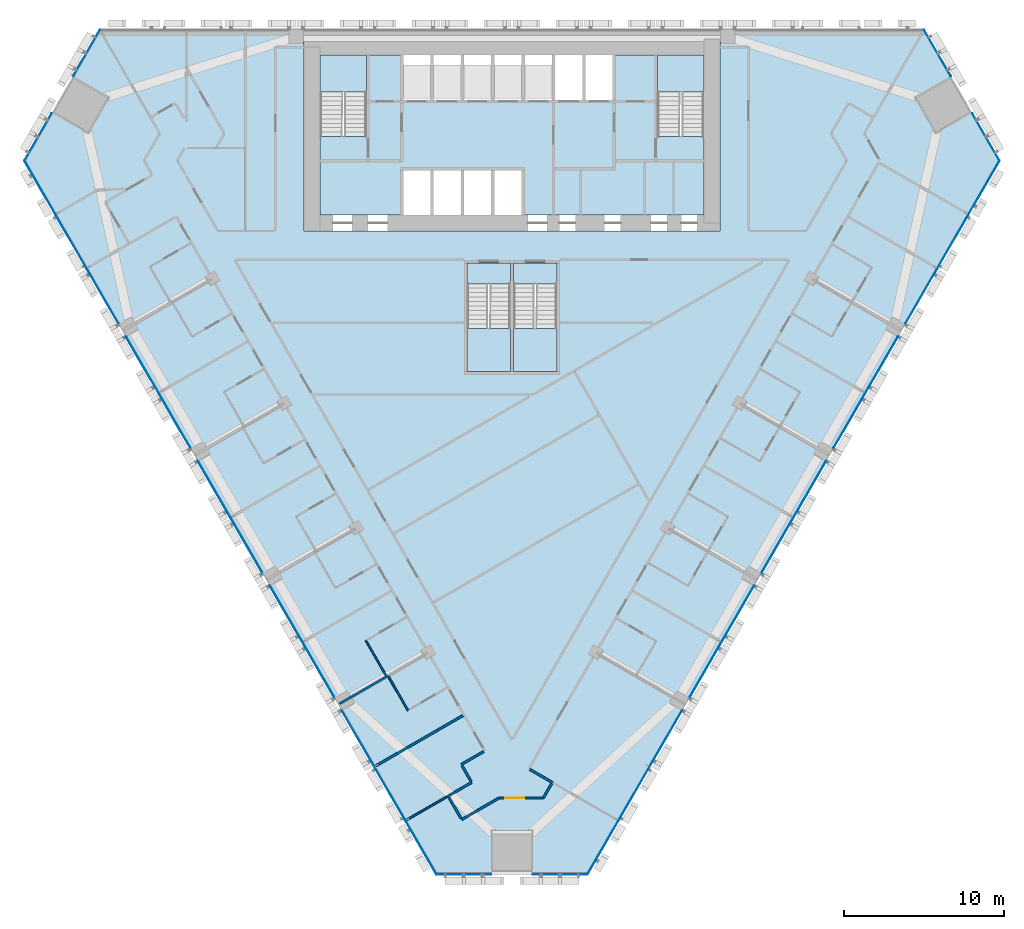
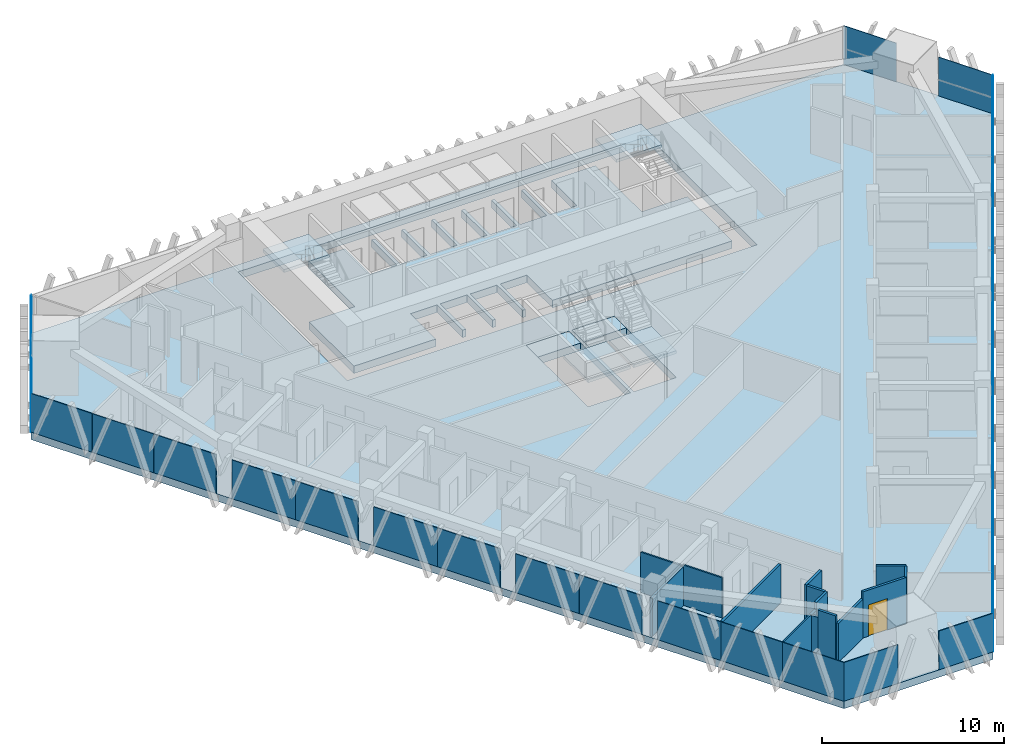
# One storey, part 8 of 17: 30 plates, 15 walls, 8 slabs, 1 door, 1 opening, 9 elements without a shape of their own.
"""IFC4 building model written with IfcOpenShell, lengths in metres."""

from ifc_helpers import new_model, si_unit, direction, frame, frame_2d, origin, origin_2d, place, context, subcontext, project, spatial, polyline, rectangle, outline, extrude, material, layer, layer_set, type_object, element, fill, aggregate, save


model = new_model("IFC4")

# Units and contexts
model_context = context("Model", 3, precision=1e-05, world=origin(), true_north=direction((0.0, 1.0)))
body_context = subcontext(model_context, "Body", "Model", "MODEL_VIEW")
ifc_project = project(units=[si_unit("LENGTHUNIT", "METRE"), si_unit("AREAUNIT", "SQUARE_METRE"), si_unit("VOLUMEUNIT", "CUBIC_METRE"), si_unit("PLANEANGLEUNIT", "RADIAN"), si_unit("MASSUNIT", "GRAM", prefix="KILO")], contexts=[model_context])

# Site, building, storey
site_placement = place(None, origin())
site = spatial("IfcSite", under=ifc_project, at=site_placement, CompositionType="ELEMENT")
building_placement = place(site_placement, origin())
building = spatial("IfcBuilding", under=site, at=building_placement, Name="Altiplano Prism Tower", CompositionType="ELEMENT")
storey_placement = place(building_placement, frame((0.0, 0.0, 52.199951171875)))
storey = spatial("IfcBuildingStorey", under=building, at=storey_placement, Name="L12", CompositionType="ELEMENT", Elevation=52.199951171875)

# Curtain wall, plates
ifc_material_1 = material(Name="Aluminium and glass", Category="aluminium")
ifc_layer_1 = layer(ifc_material_1, 0.280029296875)
ifc_layer_set_1 = layer_set([ifc_layer_1], Name="Aluminium and glass")
curtain_wall_type = type_object("IfcCurtainWallType", Name="CW1 typical co-living unitised curtain wall", PredefinedType="NOTDEFINED", material=ifc_layer_set_1)
curtain_wall_1_placement = place(storey_placement, origin())
curtain_wall_1 = element("IfcCurtainWall", 1, at=curtain_wall_1_placement, inside=storey, type_object=curtain_wall_type, Name="CW1 curtain wall north-west chamfer L12", PredefinedType="NOTDEFINED")
ifc_material_2 = material(Name="Clear glass", Category="glass")
ifc_layer_2 = layer(ifc_material_2, 0.0400390625)
ifc_layer_set_2 = layer_set([ifc_layer_2], Name="Clear glass")
plate_type = type_object("IfcPlateType", Name="CW1 insulated glass unit 40", PredefinedType="CURTAIN_PANEL", material=ifc_layer_set_2)
plate_1_placement = place(storey_placement, frame((58.3876953125, 103.5390625, 0.0), z_axis=(0.0, 0.0, 1.0), x_axis=(-0.500000055396, -0.866025371801, 0.0)))
plate_1 = element("IfcPlate", 2, at=plate_1_placement, type_object=plate_type, Name="CW1 panel", PredefinedType="CURTAIN_PANEL", context=body_context, shape_type="SweptSolid", body=[
    extrude(rectangle(XDim=3.340576171875, YDim=0.0400390625, at=origin_2d()), origin(), (0.0, 0.0, 1.0), 2.60009765625),
])
plate_2_placement = place(storey_placement, frame((55.352294921875, 98.281982421875, 0.0), z_axis=(0.0, 0.0, 1.0), x_axis=(-0.500000055396, -0.866025371801, 0.0)))
plate_2 = element("IfcPlate", 3, at=plate_2_placement, type_object=plate_type, Name="CW1 panel", PredefinedType="CURTAIN_PANEL", context=body_context, shape_type="SweptSolid", body=[
    extrude(rectangle(XDim=3.420654296875, YDim=0.0400390625, at=origin_2d()), origin(), (0.0, 0.0, 1.0), 2.60009765625),
])
aggregate(curtain_wall_1, [plate_1, plate_2])

curtain_wall_2_placement = place(storey_placement, origin())
curtain_wall_2 = element("IfcCurtainWall", 4, at=curtain_wall_2_placement, inside=storey, type_object=curtain_wall_type, Name="CW1 curtain wall south-west face L12", PredefinedType="NOTDEFINED")
plate_3_placement = place(storey_placement, frame((55.46875, 95.12939453125, 0.0), z_axis=(0.0, 0.0, 1.0), x_axis=(0.499999990704, -0.866025409151, 0.0)))
plate_3 = element("IfcPlate", 5, at=plate_3_placement, type_object=plate_type, Name="CW1 panel", PredefinedType="CURTAIN_PANEL", context=body_context, shape_type="SweptSolid", body=[
    extrude(rectangle(XDim=3.885986328125, YDim=0.0400390625, at=origin_2d()), origin(), (0.0, 0.0, 1.0), 2.60009765625),
])
plate_4_placement = place(storey_placement, frame((57.416748046875, 91.75537109375, 0.0), z_axis=(0.0, 0.0, 1.0), x_axis=(0.499999990704, -0.866025409151, 0.0)))
plate_4 = element("IfcPlate", 6, at=plate_4_placement, type_object=plate_type, Name="CW1 panel", PredefinedType="CURTAIN_PANEL", context=body_context, shape_type="SweptSolid", body=[
    extrude(rectangle(XDim=3.885986328125, YDim=0.0400390625, at=origin_2d()), origin(), (0.0, 0.0, 1.0), 2.60009765625),
])
plate_5_placement = place(storey_placement, frame((59.38330078125, 88.348876953125, 0.0), z_axis=(0.0, 0.0, 1.0), x_axis=(0.499999990704, -0.866025409151, 0.0)))
plate_5 = element("IfcPlate", 7, at=plate_5_placement, type_object=plate_type, Name="CW1 panel", PredefinedType="CURTAIN_PANEL", context=body_context, shape_type="SweptSolid", body=[
    extrude(rectangle(XDim=3.96044921875, YDim=0.0400390625, at=origin_2d()), origin(), (0.0, 0.0, 1.0), 2.60009765625),
])
plate_6_placement = place(storey_placement, frame((61.87841796875, 84.02734375, 0.0), z_axis=(0.0, 0.0, 1.0), x_axis=(0.499999990704, -0.866025409151, 0.0)))
plate_6 = element("IfcPlate", 8, at=plate_6_placement, type_object=plate_type, Name="CW1 panel", PredefinedType="CURTAIN_PANEL", context=body_context, shape_type="SweptSolid", body=[
    extrude(rectangle(XDim=4.039306640625, YDim=0.0400390625, at=origin_2d()), origin(), (0.0, 0.0, 1.0), 2.60009765625),
])
plate_7_placement = place(storey_placement, frame((63.88330078125, 80.5546875, 0.0), z_axis=(0.0, 0.0, 1.0), x_axis=(0.499999990704, -0.866025409151, 0.0)))
plate_7 = element("IfcPlate", 9, at=plate_7_placement, type_object=plate_type, Name="CW1 panel", PredefinedType="CURTAIN_PANEL", context=body_context, shape_type="SweptSolid", body=[
    extrude(rectangle(XDim=3.96044921875, YDim=0.0400390625, at=origin_2d()), origin(), (0.0, 0.0, 1.0), 2.60009765625),
])
plate_8_placement = place(storey_placement, frame((66.37841796875, 76.233154296875, 0.0), z_axis=(0.0, 0.0, 1.0), x_axis=(0.499999990704, -0.866025409151, 0.0)))
plate_8 = element("IfcPlate", 10, at=plate_8_placement, type_object=plate_type, Name="CW1 panel", PredefinedType="CURTAIN_PANEL", context=body_context, shape_type="SweptSolid", body=[
    extrude(rectangle(XDim=4.039306640625, YDim=0.0400390625, at=origin_2d()), origin(), (0.0, 0.0, 1.0), 2.60009765625),
])
plate_9_placement = place(storey_placement, frame((68.38330078125, 72.760498046875, 0.0), z_axis=(0.0, 0.0, 1.0), x_axis=(0.499999990704, -0.866025409151, 0.0)))
plate_9 = element("IfcPlate", 11, at=plate_9_placement, type_object=plate_type, Name="CW1 panel", PredefinedType="CURTAIN_PANEL", context=body_context, shape_type="SweptSolid", body=[
    extrude(rectangle(XDim=3.96044921875, YDim=0.0400390625, at=origin_2d()), origin(), (0.0, 0.0, 1.0), 2.60009765625),
])
plate_10_placement = place(storey_placement, frame((70.87841796875, 68.43896484375, 0.0), z_axis=(0.0, 0.0, 1.0), x_axis=(0.499999990704, -0.866025409151, 0.0)))
plate_10 = element("IfcPlate", 12, at=plate_10_placement, type_object=plate_type, Name="CW1 panel", PredefinedType="CURTAIN_PANEL", context=body_context, shape_type="SweptSolid", body=[
    extrude(rectangle(XDim=4.039306640625, YDim=0.0400390625, at=origin_2d()), origin(), (0.0, 0.0, 1.0), 2.60009765625),
])
plate_11_placement = place(storey_placement, frame((72.88330078125, 64.96630859375, 0.0), z_axis=(0.0, 0.0, 1.0), x_axis=(0.499999990704, -0.866025409151, 0.0)))
plate_11 = element("IfcPlate", 13, at=plate_11_placement, type_object=plate_type, Name="CW1 panel", PredefinedType="CURTAIN_PANEL", context=body_context, shape_type="SweptSolid", body=[
    extrude(rectangle(XDim=3.96044921875, YDim=0.0400390625, at=origin_2d()), origin(), (0.0, 0.0, 1.0), 2.60009765625),
])
plate_12_placement = place(storey_placement, frame((75.37841796875, 60.644775390625, 0.0), z_axis=(0.0, 0.0, 1.0), x_axis=(0.499999990704, -0.866025409151, 0.0)))
plate_12 = element("IfcPlate", 14, at=plate_12_placement, type_object=plate_type, Name="CW1 panel", PredefinedType="CURTAIN_PANEL", context=body_context, shape_type="SweptSolid", body=[
    extrude(rectangle(XDim=4.039306640625, YDim=0.0400390625, at=origin_2d()), origin(), (0.0, 0.0, 1.0), 2.60009765625),
])
plate_13_placement = place(storey_placement, frame((77.36474609375, 57.204345703125, 0.0), z_axis=(0.0, 0.0, 1.0), x_axis=(0.499999990704, -0.866025409151, 0.0)))
plate_13 = element("IfcPlate", 15, at=plate_13_placement, type_object=plate_type, Name="CW1 panel", PredefinedType="CURTAIN_PANEL", context=body_context, shape_type="SweptSolid", body=[
    extrude(rectangle(XDim=3.885986328125, YDim=0.0400390625, at=origin_2d()), origin(), (0.0, 0.0, 1.0), 2.60009765625),
])
plate_14_placement = place(storey_placement, frame((79.312744140625, 53.830322265625, 0.0), z_axis=(0.0, 0.0, 1.0), x_axis=(0.499999990704, -0.866025409151, 0.0)))
plate_14 = element("IfcPlate", 16, at=plate_14_placement, type_object=plate_type, Name="CW1 panel", PredefinedType="CURTAIN_PANEL", context=body_context, shape_type="SweptSolid", body=[
    extrude(rectangle(XDim=3.885986328125, YDim=0.0400390625, at=origin_2d()), origin(), (0.0, 0.0, 1.0), 2.60009765625),
])
aggregate(curtain_wall_2, [plate_3, plate_4, plate_5, plate_6, plate_7, plate_8, plate_9, plate_10, plate_11, plate_12, plate_13, plate_14])

curtain_wall_3_placement = place(storey_placement, origin())
curtain_wall_3 = element("IfcCurtainWall", 17, at=curtain_wall_3_placement, inside=storey, type_object=curtain_wall_type, Name="CW1 curtain wall south chamfer L12", PredefinedType="NOTDEFINED")
plate_15_placement = place(storey_placement, frame((81.984619140625, 52.1533203125, 0.0), z_axis=(0.0, 0.0, 1.0), x_axis=(1.0, 0.0, 0.0)))
plate_15 = element("IfcPlate", 18, at=plate_15_placement, type_object=plate_type, Name="CW1 panel", PredefinedType="CURTAIN_PANEL", context=body_context, shape_type="SweptSolid", body=[
    extrude(rectangle(XDim=3.420654296875, YDim=0.0400390625, at=origin_2d()), origin(), (0.0, 0.0, 1.0), 2.60009765625),
])
plate_16_placement = place(storey_placement, frame((88.015380859375, 52.1533203125, 0.0), z_axis=(0.0, 0.0, 1.0), x_axis=(1.0, 0.0, 0.0)))
plate_16 = element("IfcPlate", 19, at=plate_16_placement, type_object=plate_type, Name="CW1 panel", PredefinedType="CURTAIN_PANEL", context=body_context, shape_type="SweptSolid", body=[
    extrude(rectangle(XDim=3.420654296875, YDim=0.0400390625, at=origin_2d()), origin(), (0.0, 0.0, 1.0), 2.60009765625),
])
aggregate(curtain_wall_3, [plate_15, plate_16])

curtain_wall_4_placement = place(storey_placement, origin())
curtain_wall_4 = element("IfcCurtainWall", 20, at=curtain_wall_4_placement, inside=storey, type_object=curtain_wall_type, Name="CW1 curtain wall south-east face L12", PredefinedType="NOTDEFINED")
plate_17_placement = place(storey_placement, frame((90.687255859375, 53.830322265625, 0.0), z_axis=(0.0, 0.0, 1.0), x_axis=(0.499999990704, 0.866025409151, 0.0)))
plate_17 = element("IfcPlate", 21, at=plate_17_placement, type_object=plate_type, Name="CW1 panel", PredefinedType="CURTAIN_PANEL", context=body_context, shape_type="SweptSolid", body=[
    extrude(rectangle(XDim=3.885986328125, YDim=0.0400390625, at=origin_2d()), origin(), (0.0, 0.0, 1.0), 2.60009765625),
])
plate_18_placement = place(storey_placement, frame((92.63525390625, 57.204345703125, 0.0), z_axis=(0.0, 0.0, 1.0), x_axis=(0.499999990704, 0.866025409151, 0.0)))
plate_18 = element("IfcPlate", 22, at=plate_18_placement, type_object=plate_type, Name="CW1 panel", PredefinedType="CURTAIN_PANEL", context=body_context, shape_type="SweptSolid", body=[
    extrude(rectangle(XDim=3.885986328125, YDim=0.0400390625, at=origin_2d()), origin(), (0.0, 0.0, 1.0), 2.60009765625),
])
plate_19_placement = place(storey_placement, frame((94.62158203125, 60.644775390625, 0.0), z_axis=(0.0, 0.0, 1.0), x_axis=(0.499999990704, 0.866025409151, 0.0)))
plate_19 = element("IfcPlate", 23, at=plate_19_placement, type_object=plate_type, Name="CW1 panel", PredefinedType="CURTAIN_PANEL", context=body_context, shape_type="SweptSolid", body=[
    extrude(rectangle(XDim=4.039306640625, YDim=0.0400390625, at=origin_2d()), origin(), (0.0, 0.0, 1.0), 2.60009765625),
])
plate_20_placement = place(storey_placement, frame((97.11669921875, 64.96630859375, 0.0), z_axis=(0.0, 0.0, 1.0), x_axis=(0.499999990704, 0.866025409151, 0.0)))
plate_20 = element("IfcPlate", 24, at=plate_20_placement, type_object=plate_type, Name="CW1 panel", PredefinedType="CURTAIN_PANEL", context=body_context, shape_type="SweptSolid", body=[
    extrude(rectangle(XDim=3.96044921875, YDim=0.0400390625, at=origin_2d()), origin(), (0.0, 0.0, 1.0), 2.60009765625),
])
plate_21_placement = place(storey_placement, frame((99.12158203125, 68.43896484375, 0.0), z_axis=(0.0, 0.0, 1.0), x_axis=(0.499999990704, 0.866025409151, 0.0)))
plate_21 = element("IfcPlate", 25, at=plate_21_placement, type_object=plate_type, Name="CW1 panel", PredefinedType="CURTAIN_PANEL", context=body_context, shape_type="SweptSolid", body=[
    extrude(rectangle(XDim=4.039306640625, YDim=0.0400390625, at=origin_2d()), origin(), (0.0, 0.0, 1.0), 2.60009765625),
])
plate_22_placement = place(storey_placement, frame((101.61669921875, 72.760498046875, 0.0), z_axis=(0.0, 0.0, 1.0), x_axis=(0.499999990704, 0.866025409151, 0.0)))
plate_22 = element("IfcPlate", 26, at=plate_22_placement, type_object=plate_type, Name="CW1 panel", PredefinedType="CURTAIN_PANEL", context=body_context, shape_type="SweptSolid", body=[
    extrude(rectangle(XDim=3.96044921875, YDim=0.0400390625, at=origin_2d()), origin(), (0.0, 0.0, 1.0), 2.60009765625),
])
plate_23_placement = place(storey_placement, frame((103.62158203125, 76.233154296875, 0.0), z_axis=(0.0, 0.0, 1.0), x_axis=(0.499999990704, 0.866025409151, 0.0)))
plate_23 = element("IfcPlate", 27, at=plate_23_placement, type_object=plate_type, Name="CW1 panel", PredefinedType="CURTAIN_PANEL", context=body_context, shape_type="SweptSolid", body=[
    extrude(rectangle(XDim=4.039306640625, YDim=0.0400390625, at=origin_2d()), origin(), (0.0, 0.0, 1.0), 2.60009765625),
])
plate_24_placement = place(storey_placement, frame((106.11669921875, 80.5546875, 0.0), z_axis=(0.0, 0.0, 1.0), x_axis=(0.499999990704, 0.866025409151, 0.0)))
plate_24 = element("IfcPlate", 28, at=plate_24_placement, type_object=plate_type, Name="CW1 panel", PredefinedType="CURTAIN_PANEL", context=body_context, shape_type="SweptSolid", body=[
    extrude(rectangle(XDim=3.96044921875, YDim=0.0400390625, at=origin_2d()), origin(), (0.0, 0.0, 1.0), 2.60009765625),
])
plate_25_placement = place(storey_placement, frame((108.12158203125, 84.02734375, 0.0), z_axis=(0.0, 0.0, 1.0), x_axis=(0.499999990704, 0.866025409151, 0.0)))
plate_25 = element("IfcPlate", 29, at=plate_25_placement, type_object=plate_type, Name="CW1 panel", PredefinedType="CURTAIN_PANEL", context=body_context, shape_type="SweptSolid", body=[
    extrude(rectangle(XDim=4.039306640625, YDim=0.0400390625, at=origin_2d()), origin(), (0.0, 0.0, 1.0), 2.60009765625),
])
plate_26_placement = place(storey_placement, frame((110.61669921875, 88.348876953125, 0.0), z_axis=(0.0, 0.0, 1.0), x_axis=(0.499999990704, 0.866025409151, 0.0)))
plate_26 = element("IfcPlate", 30, at=plate_26_placement, type_object=plate_type, Name="CW1 panel", PredefinedType="CURTAIN_PANEL", context=body_context, shape_type="SweptSolid", body=[
    extrude(rectangle(XDim=3.96044921875, YDim=0.0400390625, at=origin_2d()), origin(), (0.0, 0.0, 1.0), 2.60009765625),
])
plate_27_placement = place(storey_placement, frame((112.583251953125, 91.75537109375, 0.0), z_axis=(0.0, 0.0, 1.0), x_axis=(0.499999990704, 0.866025409151, 0.0)))
plate_27 = element("IfcPlate", 31, at=plate_27_placement, type_object=plate_type, Name="CW1 panel", PredefinedType="CURTAIN_PANEL", context=body_context, shape_type="SweptSolid", body=[
    extrude(rectangle(XDim=3.885986328125, YDim=0.0400390625, at=origin_2d()), origin(), (0.0, 0.0, 1.0), 2.60009765625),
])
plate_28_placement = place(storey_placement, frame((114.53125, 95.12939453125, 0.0), z_axis=(0.0, 0.0, 1.0), x_axis=(0.499999990704, 0.866025409151, 0.0)))
plate_28 = element("IfcPlate", 32, at=plate_28_placement, type_object=plate_type, Name="CW1 panel", PredefinedType="CURTAIN_PANEL", context=body_context, shape_type="SweptSolid", body=[
    extrude(rectangle(XDim=3.885986328125, YDim=0.0400390625, at=origin_2d()), origin(), (0.0, 0.0, 1.0), 2.60009765625),
])
aggregate(curtain_wall_4, [plate_17, plate_18, plate_19, plate_20, plate_21, plate_22, plate_23, plate_24, plate_25, plate_26, plate_27, plate_28])

curtain_wall_5_placement = place(storey_placement, origin())
curtain_wall_5 = element("IfcCurtainWall", 33, at=curtain_wall_5_placement, inside=storey, type_object=curtain_wall_type, Name="CW1 curtain wall north-east chamfer L12", PredefinedType="NOTDEFINED")
plate_29_placement = place(storey_placement, frame((114.647705078125, 98.281982421875, 0.0), z_axis=(0.0, 0.0, 1.0), x_axis=(-0.500000055396, 0.866025371801, 0.0)))
plate_29 = element("IfcPlate", 34, at=plate_29_placement, type_object=plate_type, Name="CW1 panel", PredefinedType="CURTAIN_PANEL", context=body_context, shape_type="SweptSolid", body=[
    extrude(rectangle(XDim=3.420654296875, YDim=0.0400390625, at=origin_2d()), origin(), (0.0, 0.0, 1.0), 2.60009765625),
])
plate_30_placement = place(storey_placement, frame((111.6123046875, 103.5390625, 0.0), z_axis=(0.0, 0.0, 1.0), x_axis=(-0.500000055396, 0.866025371801, 0.0)))
plate_30 = element("IfcPlate", 35, at=plate_30_placement, type_object=plate_type, Name="CW1 panel", PredefinedType="CURTAIN_PANEL", context=body_context, shape_type="SweptSolid", body=[
    extrude(rectangle(XDim=3.340576171875, YDim=0.0400390625, at=origin_2d()), origin(), (0.0, 0.0, 1.0), 2.60009765625),
])
aggregate(curtain_wall_5, [plate_29, plate_30])

# Slabs
ifc_material_3 = material(Name="Concrete C40/50", Category="concrete")
ifc_layer_3 = layer(ifc_material_3, 0.5)
ifc_layer_set_3 = layer_set([ifc_layer_3], Name="Concrete C40/50")
slab_type_1 = type_object("IfcSlabType", Name="Core floor slab 500", PredefinedType="FLOOR", material=ifc_layer_set_3)
slab_1_placement = place(storey_placement, frame((0.0, 0.0, -0.5)))
element("IfcSlab", 36, at=slab_1_placement, inside=storey, type_object=slab_type_1, Name="Core floor slab L12", PredefinedType="FLOOR", context=body_context, shape_type="SweptSolid", body=[
    extrude(outline(polyline([(97.0, 98.31005859375), (94.10009765625, 98.31005859375), (94.10009765625, 103.39990234375), (91.300048828125, 103.39990234375), (91.300048828125, 100.60009765625), (89.60009765625, 100.60009765625), (89.60009765625, 103.39990234375), (89.39990234375, 103.39990234375), (89.39990234375, 100.60009765625), (87.699951171875, 100.60009765625), (87.699951171875, 103.39990234375), (87.5, 103.39990234375), (87.5, 100.60009765625), (85.800048828125, 100.60009765625), (85.800048828125, 103.39990234375), (85.60009765625, 103.39990234375), (85.60009765625, 100.60009765625), (83.89990234375, 100.60009765625), (83.89990234375, 103.39990234375), (83.699951171875, 103.39990234375), (83.699951171875, 100.60009765625), (82.0, 100.60009765625), (82.0, 103.39990234375), (81.800048828125, 103.39990234375), (81.800048828125, 100.60009765625), (80.10009765625, 100.60009765625), (80.10009765625, 103.39990234375), (79.89990234375, 103.39990234375), (79.89990234375, 100.60009765625), (78.199951171875, 100.60009765625), (78.199951171875, 103.39990234375), (75.89990234375, 103.39990234375), (75.89990234375, 98.31005859375), (73.0, 98.31005859375), (73.0, 93.39990234375), (78.199951171875, 93.39990234375), (78.199951171875, 96.199951171875), (79.89990234375, 96.199951171875), (79.89990234375, 93.39990234375), (80.10009765625, 93.39990234375), (80.10009765625, 96.199951171875), (81.800048828125, 96.199951171875), (81.800048828125, 93.39990234375), (82.0, 93.39990234375), (82.0, 96.199951171875), (83.699951171875, 96.199951171875), (83.699951171875, 93.39990234375), (83.89990234375, 93.39990234375), (83.89990234375, 96.199951171875), (85.60009765625, 96.199951171875), (85.60009765625, 93.39990234375), (97.0, 93.39990234375), (97.0, 98.31005859375)])), origin(), (0.0, 0.0, 1.0), 0.5),
])
slab_2_placement = place(storey_placement, frame((0.0, 0.0, -0.5)))
element("IfcSlab", 37, at=slab_2_placement, inside=storey, type_object=slab_type_1, Name="Stair 3A landing slab L12", PredefinedType="FLOOR", context=body_context, shape_type="SweptSolid", body=[
    extrude(outline(polyline([(82.199951171875, 89.096923828125), (84.89990234375, 89.096923828125), (84.89990234375, 90.39990234375), (82.199951171875, 90.39990234375), (82.199951171875, 89.096923828125)])), origin(), (0.0, 0.0, 1.0), 0.5),
])
slab_3_placement = place(storey_placement, frame((0.0, 0.0, -0.5)))
element("IfcSlab", 38, at=slab_3_placement, inside=storey, type_object=slab_type_1, Name="Stair 3B landing slab L12", PredefinedType="FLOOR", context=body_context, shape_type="SweptSolid", body=[
    extrude(outline(polyline([(85.10009765625, 89.096923828125), (87.800048828125, 89.096923828125), (87.800048828125, 90.39990234375), (85.10009765625, 90.39990234375), (85.10009765625, 89.096923828125)])), origin(), (0.0, 0.0, 1.0), 0.5),
])
ifc_layer_4 = layer(ifc_material_3, 0.5)
ifc_layer_set_4 = layer_set([ifc_layer_4], Name="Concrete C40/50")
slab_type_2 = type_object("IfcSlabType", Name="Post-tensioned flat slab 500", PredefinedType="FLOOR", material=ifc_layer_set_4)
slab_4_placement = place(storey_placement, frame((0.0, 0.0, -0.5)))
element("IfcSlab", 39, at=slab_4_placement, inside=storey, type_object=slab_type_2, Name="Floor slab L12", PredefinedType="FLOOR", context=body_context, shape_type="SweptSolid", body=[
    extrude(outline(polyline([(80.269287109375, 52.13330078125), (54.477294921875, 96.806396484375), (59.2080078125, 105.0), (110.7919921875, 105.0), (115.522705078125, 96.806396484375), (89.730712890625, 52.13330078125), (80.269287109375, 52.13330078125)]), holes=[polyline([(72.0, 104.39990234375), (72.0, 92.39990234375), (98.0, 92.39990234375), (98.0, 104.39990234375), (72.0, 104.39990234375)]), polyline([(84.89990234375, 90.39990234375), (82.199951171875, 90.39990234375), (82.199951171875, 83.60009765625), (84.89990234375, 83.60009765625), (84.89990234375, 90.39990234375)]), polyline([(87.800048828125, 83.60009765625), (87.800048828125, 90.39990234375), (85.10009765625, 90.39990234375), (85.10009765625, 83.60009765625), (87.800048828125, 83.60009765625)])]), origin(), (0.0, 0.0, 1.0), 0.5),
])

# Stair, slab
stair_type_1 = type_object("IfcStairType", Name="Exit stair 1400", PredefinedType="HALF_TURN_STAIR", material=ifc_material_3)
stair_1_placement = place(storey_placement, origin())
stair_1 = element("IfcStair", 40, at=stair_1_placement, inside=storey, type_object=stair_type_1, Name="L12 Exit Stair 1", PredefinedType="HALF_TURN_STAIR")
ifc_layer_5 = layer(ifc_material_3, 0.199951171875)
ifc_layer_set_5 = layer_set([ifc_layer_5], Name="Concrete C40/50")
slab_type_3 = type_object("IfcSlabType", Name="Stair landing 200", PredefinedType="LANDING", material=ifc_layer_set_5)
slab_5_placement = place(storey_placement, frame((0.0, 0.0, 1.60009765625)))
slab_5 = element("IfcSlab", 41, at=slab_5_placement, type_object=slab_type_3, Name="ST1 landing 1", PredefinedType="LANDING", context=body_context, shape_type="SweptSolid", body=[
    extrude(outline(polyline([(75.89990234375, 101.096923828125), (75.89990234375, 103.39990234375), (73.0, 103.39990234375), (73.0, 101.096923828125), (75.89990234375, 101.096923828125)])), origin(), (0.0, 0.0, 1.0), 0.199951171875),
])
aggregate(stair_1, [slab_5])

stair_2_placement = place(storey_placement, origin())
stair_2 = element("IfcStair", 42, at=stair_2_placement, inside=storey, type_object=stair_type_1, Name="L12 Exit Stair 2", PredefinedType="HALF_TURN_STAIR")
slab_6_placement = place(storey_placement, frame((0.0, 0.0, 1.60009765625)))
slab_6 = element("IfcSlab", 43, at=slab_6_placement, type_object=slab_type_3, Name="ST2 landing 1", PredefinedType="LANDING", context=body_context, shape_type="SweptSolid", body=[
    extrude(outline(polyline([(97.0, 101.096923828125), (97.0, 103.39990234375), (94.10009765625, 103.39990234375), (94.10009765625, 101.096923828125), (97.0, 101.096923828125)])), origin(), (0.0, 0.0, 1.0), 0.199951171875),
])
aggregate(stair_2, [slab_6])

stair_type_2 = type_object("IfcStairType", Name="Exit stair 1300", PredefinedType="HALF_TURN_STAIR", material=ifc_material_3)
stair_3_placement = place(storey_placement, origin())
stair_3 = element("IfcStair", 44, at=stair_3_placement, inside=storey, type_object=stair_type_2, Name="L12 Exit Stair 3A", PredefinedType="HALF_TURN_STAIR")
slab_7_placement = place(storey_placement, frame((0.0, 0.0, 1.60009765625)))
slab_7 = element("IfcSlab", 45, at=slab_7_placement, type_object=slab_type_3, Name="ST3A landing 1", PredefinedType="LANDING", context=body_context, shape_type="SweptSolid", body=[
    extrude(outline(polyline([(82.199951171875, 86.302978515625), (82.199951171875, 83.60009765625), (84.89990234375, 83.60009765625), (84.89990234375, 86.302978515625), (82.199951171875, 86.302978515625)])), origin(), (0.0, 0.0, 1.0), 0.199951171875),
])
aggregate(stair_3, [slab_7])

stair_4_placement = place(storey_placement, origin())
stair_4 = element("IfcStair", 46, at=stair_4_placement, inside=storey, type_object=stair_type_2, Name="L12 Exit Stair 3B", PredefinedType="HALF_TURN_STAIR")
slab_8_placement = place(storey_placement, frame((0.0, 0.0, 1.60009765625)))
slab_8 = element("IfcSlab", 47, at=slab_8_placement, type_object=slab_type_3, Name="ST3B landing 1", PredefinedType="LANDING", context=body_context, shape_type="SweptSolid", body=[
    extrude(outline(polyline([(85.10009765625, 86.302978515625), (85.10009765625, 83.60009765625), (87.800048828125, 83.60009765625), (87.800048828125, 86.302978515625), (85.10009765625, 86.302978515625)])), origin(), (0.0, 0.0, 1.0), 0.199951171875),
])
aggregate(stair_4, [slab_8])

# Walls
ifc_material_4 = material(Name="Plasterboard on steel stud", Category="steel")
ifc_layer_6 = layer(ifc_material_4, 0.10009765625)
ifc_layer_set_6 = layer_set([ifc_layer_6], Name="Plasterboard on steel stud")
wall_type_1 = type_object("IfcWallType", Name="Partition 100 unit", PredefinedType="PARTITIONING", material=ifc_layer_set_6)
wall_1_placement = place(storey_placement, frame((77.116943359375, 64.593505859375, 0.0), z_axis=(0.0, 0.0, 1.0), x_axis=(-0.50001820224, 0.866014894461, 0.0)))
element("IfcWall", 48, at=wall_1_placement, inside=storey, type_object=wall_type_1, Name="Partition P02 L12 077", PredefinedType="PARTITIONING", context=body_context, shape_type="SweptSolid", body=[
    extrude(rectangle(XDim=2.52490234375, YDim=0.10009765625, at=frame_2d((1.262451171875, 0.0))), origin(), (0.0, 0.0, 1.0), 2.699951171875),
])
wall_2_placement = place(storey_placement, frame((78.490966796875, 62.413330078125, 0.0), z_axis=(0.0, 0.0, 1.0), x_axis=(-0.500004234368, 0.866022959057, 0.0)))
element("IfcWall", 49, at=wall_2_placement, inside=storey, type_object=wall_type_1, Name="Partition P02 L12 082", PredefinedType="PARTITIONING", context=body_context, shape_type="SweptSolid", body=[
    extrude(rectangle(XDim=2.5, YDim=0.10009765625, at=frame_2d((1.25, 0.0))), origin(), (0.0, 0.0, 1.0), 2.699951171875),
])
ifc_layer_7 = layer(ifc_material_4, 0.10009765625)
ifc_layer_set_7 = layer_set([ifc_layer_7], Name="Plasterboard on steel stud")
wall_type_2 = type_object("IfcWallType", Name="Partition 100 wet", PredefinedType="PARTITIONING", material=ifc_layer_set_7)
wall_3_placement = place(storey_placement, frame((78.390380859375, 55.547119140625, 0.0), z_axis=(0.0, 0.0, 1.0), x_axis=(0.866015980925, 0.500016320516, 0.0)))
element("IfcWall", 50, at=wall_3_placement, inside=storey, type_object=wall_type_2, Name="Partition P03 L12 084", PredefinedType="PARTITIONING", context=body_context, shape_type="SweptSolid", body=[
    extrude(rectangle(XDim=3.0205078125, YDim=0.10009765625, at=frame_2d((1.51025390625, 0.0))), origin(), (0.0, 0.0, 1.0), 2.60009765625),
])
ifc_layer_8 = layer(ifc_material_4, 0.14990234375)
ifc_layer_set_8 = layer_set([ifc_layer_8], Name="Plasterboard on steel stud")
wall_type_3 = type_object("IfcWallType", Name="Partition 150 corridor", PredefinedType="PARTITIONING", material=ifc_layer_set_8)
wall_4_placement = place(storey_placement, frame((83.237548828125, 59.84228515625, 0.0), z_axis=(0.0, 0.0, 1.0), x_axis=(-0.866015446554, -0.500017246033, 0.0)))
element("IfcWall", 51, at=wall_4_placement, inside=storey, type_object=wall_type_3, Name="Partition P06 L12 023", PredefinedType="PARTITIONING", context=body_context, shape_type="SweptSolid", body=[
    extrude(rectangle(XDim=1.625, YDim=0.14990234375, at=frame_2d((0.8125, 0.0))), origin(), (0.0, 0.0, 1.0), 3.10009765625),
])
wall_5_placement = place(storey_placement, frame((81.867919921875, 58.96484375, 0.0), z_axis=(0.0, 0.0, 1.0), x_axis=(0.499919131929, -0.866072087953, 0.0)))
element("IfcWall", 52, at=wall_5_placement, inside=storey, type_object=wall_type_3, Name="Partition P06 L12 024", PredefinedType="PARTITIONING", context=body_context, shape_type="SweptSolid", body=[
    extrude(rectangle(XDim=1.146240234375, YDim=0.14990234375, at=frame_2d((0.5732421875, 0.0))), origin(), (0.0, 0.0, 1.0), 3.10009765625),
])
wall_6_placement = place(storey_placement, frame((82.478271484375, 57.9072265625, 0.0), z_axis=(0.0, 0.0, 1.0), x_axis=(-0.866079219153, -0.49990677746, 0.0)))
element("IfcWall", 53, at=wall_6_placement, inside=storey, type_object=wall_type_3, Name="Partition P06 L12 025", PredefinedType="PARTITIONING", context=body_context, shape_type="SweptSolid", body=[
    extrude(rectangle(XDim=1.184814453125, YDim=0.14990234375, at=frame_2d((0.59228515625, 0.0))), origin(), (0.0, 0.0, 1.0), 3.10009765625),
])
wall_7_placement = place(storey_placement, frame((81.4521484375, 57.31494140625, 0.0), z_axis=(0.0, 0.0, 1.0), x_axis=(-0.865988023682, -0.500064738649, 0.0)))
element("IfcWall", 54, at=wall_7_placement, inside=storey, type_object=wall_type_3, Name="Partition P06 L12 026", PredefinedType="PARTITIONING", context=body_context, shape_type="SweptSolid", body=[
    extrude(rectangle(XDim=0.53515625, YDim=0.14990234375, at=frame_2d((0.267578125, 0.0))), origin(), (0.0, 0.0, 1.0), 2.60009765625),
])
wall_8_placement = place(storey_placement, frame((81.043701171875, 56.992431640625, 0.0), z_axis=(0.0, 0.0, 1.0), x_axis=(0.499790003975, -0.866146611104, 0.0)))
element("IfcWall", 55, at=wall_8_placement, inside=storey, type_object=wall_type_3, Name="Partition P06 L12 027", PredefinedType="PARTITIONING", context=body_context, shape_type="SweptSolid", body=[
    extrude(rectangle(XDim=0.417236328125, YDim=0.14990234375, at=frame_2d((0.20849609375, 0.0))), origin(), (0.0, 0.0, 1.0), 2.60009765625),
])
wall_9_placement = place(storey_placement, frame((81.252197265625, 56.631103515625, 0.0), z_axis=(0.0, 0.0, 1.0), x_axis=(0.500033399229, -0.866006119872, 0.0)))
element("IfcWall", 56, at=wall_9_placement, inside=storey, type_object=wall_type_3, Name="Partition P06 L12 028", PredefinedType="PARTITIONING", context=body_context, shape_type="SweptSolid", body=[
    extrude(rectangle(XDim=1.1328125, YDim=0.14990234375, at=frame_2d((0.56640625, 0.0))), origin(), (0.0, 0.0, 1.0), 3.10009765625),
])
wall_10_placement = place(storey_placement, frame((81.856201171875, 55.585205078125, 0.0), z_axis=(0.0, 0.0, 1.0), x_axis=(0.866016698225, 0.500015078168, 0.0)))
element("IfcWall", 57, at=wall_10_placement, inside=storey, type_object=wall_type_3, Name="Partition P06 L12 029", PredefinedType="PARTITIONING", context=body_context, shape_type="SweptSolid", body=[
    extrude(rectangle(XDim=2.6962890625, YDim=0.14990234375, at=frame_2d((1.34814453125, 0.0))), origin(), (0.0, 0.0, 1.0), 2.60009765625),
])

# Wall, opening, door
wall_11_placement = place(storey_placement, frame((84.191162109375, 56.933349609375, 0.0), z_axis=(0.0, 0.0, 1.0), x_axis=(1.0, 0.0, 0.0)))
wall_11 = element("IfcWall", 58, at=wall_11_placement, inside=storey, type_object=wall_type_3, Name="Partition P06 L12 030", PredefinedType="PARTITIONING", context=body_context, shape_type="SweptSolid", body=[
    extrude(rectangle(XDim=2.76806640625, YDim=0.14990234375, at=frame_2d((1.384033203125, 0.0))), origin(), (0.0, 0.0, 1.0), 3.10009765625),
])
opening_placement = place(wall_11_placement, frame((0.37109375, 0.0, 0.0)))
opening = element("IfcOpeningElement", 59, at=opening_placement, cuts=wall_11, Name="Opening D0495", PredefinedType="OPENING", context=body_context, shape_type="SweptSolid", body=[
    extrude(rectangle(XDim=1.199951171875, YDim=2.10009765625, at=frame_2d((0.60009765625, 1.050048828125))), frame((0.0, 0.08544921875, 0.0), z_axis=(0.0, -1.0, 0.0), x_axis=(1.0, 0.0, 0.0)), (0.0, 0.0, 1.0), 0.1708984375),
])
ifc_material_5 = material(Name="Timber", Category="wood")
door_type = type_object("IfcDoorType", Name="Shared room door 1200 x 2100", OperationType="NOTDEFINED", PredefinedType="NOTDEFINED", material=ifc_material_5)
door_placement = place(opening_placement, origin())
door = element("IfcDoor", 60, at=door_placement, inside=storey, type_object=door_type, Name="Door D0495", OperationType="SINGLE_SWING_LEFT", OverallHeight=2.10009765625, OverallWidth=1.199951171875, PredefinedType="NOTDEFINED", context=body_context, shape_type="SweptSolid", body=[
    extrude(rectangle(XDim=1.199951171875, YDim=2.10009765625, at=frame_2d((0.60009765625, 1.050048828125))), frame((0.0, 0.02490234375, 0.0), z_axis=(0.0, -1.0, 0.0), x_axis=(1.0, 0.0, 0.0)), (0.0, 0.0, 1.0), 0.050048828125),
])
fill(opening, door)

# Walls
wall_12_placement = place(storey_placement, frame((86.959228515625, 56.933349609375, 0.0), z_axis=(0.0, 0.0, 1.0), x_axis=(0.500091574638, 0.865972526687, 0.0)))
element("IfcWall", 61, at=wall_12_placement, inside=storey, type_object=wall_type_3, Name="Partition P06 L12 031", PredefinedType="PARTITIONING", context=body_context, shape_type="SweptSolid", body=[
    extrude(rectangle(XDim=1.049560546875, YDim=0.14990234375, at=frame_2d((0.52490234375, 0.0))), origin(), (0.0, 0.0, 1.0), 3.10009765625),
])
wall_13_placement = place(storey_placement, frame((87.5390625, 57.897216796875, 0.0), z_axis=(0.0, 0.0, 1.0), x_axis=(-0.866015045157, 0.50001794124, 0.0)))
element("IfcWall", 62, at=wall_13_placement, inside=storey, type_object=wall_type_3, Name="Partition P06 L12 032", PredefinedType="PARTITIONING", context=body_context, shape_type="SweptSolid", body=[
    extrude(rectangle(XDim=1.64501953125, YDim=0.14990234375, at=frame_2d((0.822509765625, 0.0))), origin(), (0.0, 0.0, 1.0), 3.10009765625),
])
ifc_layer_9 = layer(ifc_material_4, 0.14990234375)
ifc_layer_set_9 = layer_set([ifc_layer_9], Name="Plasterboard on steel stud")
wall_type_4 = type_object("IfcWallType", Name="Partition 150 party", PredefinedType="PARTITIONING", material=ifc_layer_set_9)
wall_14_placement = place(storey_placement, frame((74.2099609375, 62.828369140625, 0.0), z_axis=(0.0, 0.0, 1.0), x_axis=(0.866007273829, 0.50003140069, 0.0)))
element("IfcWall", 63, at=wall_14_placement, inside=storey, type_object=wall_type_4, Name="Partition P01 L12 079", PredefinedType="PARTITIONING", context=body_context, shape_type="SweptSolid", body=[
    extrude(rectangle(XDim=3.420166015625, YDim=0.14990234375, at=frame_2d((1.7099609375, 0.0))), origin(), (0.0, 0.0, 1.0), 2.60009765625),
])
wall_15_placement = place(storey_placement, frame((76.4423828125, 58.921142578125, 0.0), z_axis=(0.0, 0.0, 1.0), x_axis=(0.866025401434, 0.500000004071, 0.0)))
element("IfcWall", 64, at=wall_15_placement, inside=storey, type_object=wall_type_4, Name="Partition P01 L12 083", PredefinedType="PARTITIONING", context=body_context, shape_type="SweptSolid", body=[
    extrude(rectangle(XDim=6.34521484375, YDim=0.14990234375, at=frame_2d((3.172607421875, 0.0))), origin(), (0.0, 0.0, 1.0), 2.60009765625),
])

save(model, "model.ifc")
